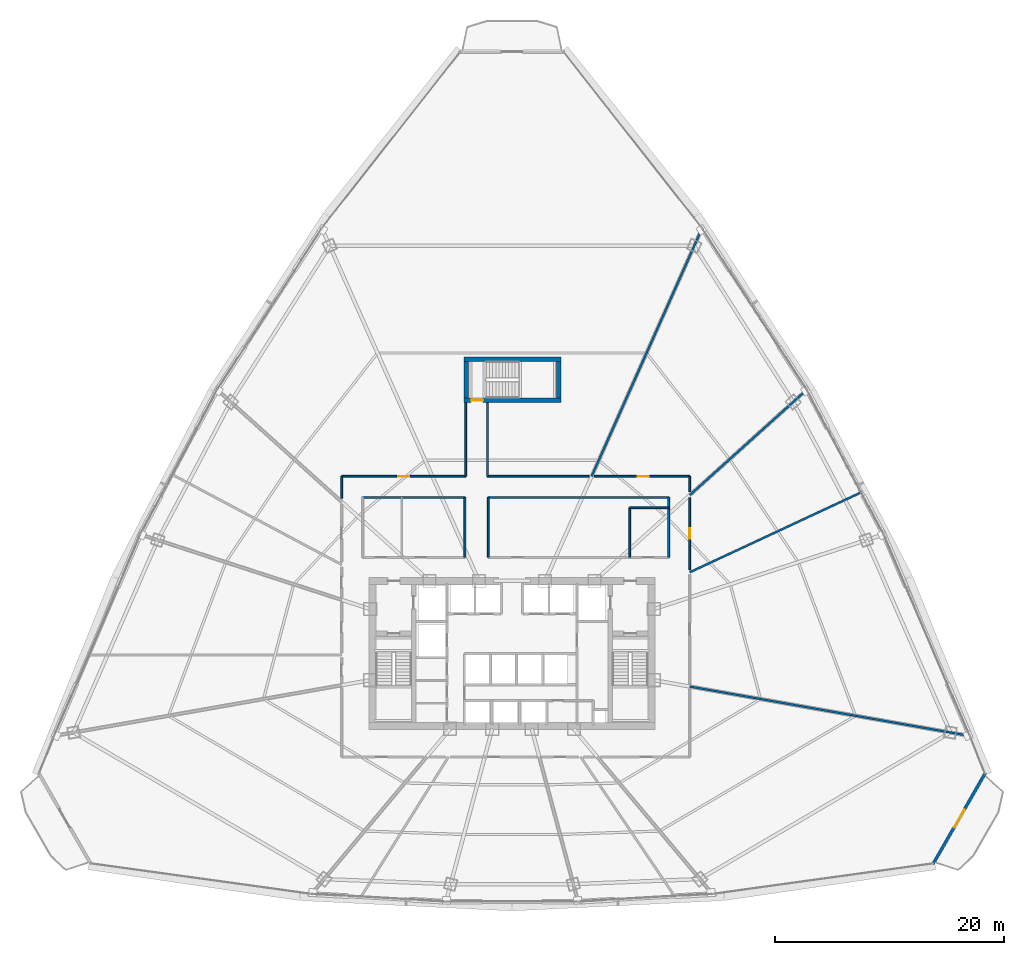
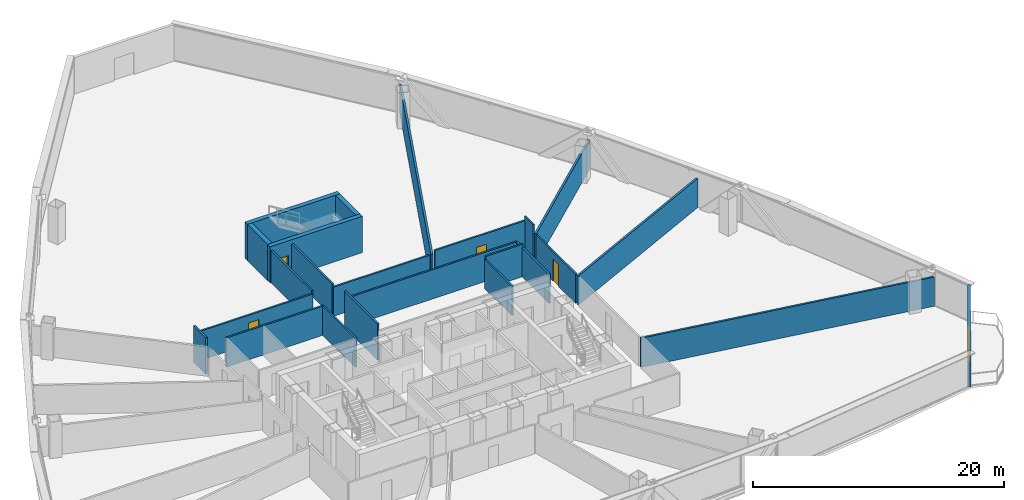
# One storey, part 31 of 36: 24 walls, 5 doors, 5 openings.
"""IFC4 building model written with IfcOpenShell, lengths in metres."""

from ifc_helpers import new_model, si_unit, direction, frame, frame_2d, origin, origin_with_axes, place, context, subcontext, project, spatial, rectangle, extrude, source, transform, mapped, material, layer, layer_set, type_object, element, fill, save


model = new_model("IFC4")

# Units and contexts
model_context = context("Model", 3, precision=1e-05, world=origin(), true_north=direction((0.0, 1.0)))
body_context = subcontext(model_context, "Body", "Model", "MODEL_VIEW")
ifc_project = project(units=[si_unit("LENGTHUNIT", "METRE"), si_unit("AREAUNIT", "SQUARE_METRE"), si_unit("VOLUMEUNIT", "CUBIC_METRE"), si_unit("PLANEANGLEUNIT", "RADIAN"), si_unit("MASSUNIT", "GRAM", prefix="KILO"), si_unit("THERMODYNAMICTEMPERATUREUNIT", "KELVIN"), si_unit("POWERUNIT", "WATT")], contexts=[model_context])

# Site, building, storey
site_placement = place(None, origin())
site = spatial("IfcSite", under=ifc_project, at=site_placement, CompositionType="ELEMENT")
building_placement = place(site_placement, origin())
building = spatial("IfcBuilding", under=site, at=building_placement, Name="Yunzhuo Pagoda Commons", CompositionType="ELEMENT")
storey_placement = place(building_placement, frame((0.0, 0.0, 107.780029296875)))
storey = spatial("IfcBuildingStorey", under=building, at=storey_placement, Name="L27", CompositionType="ELEMENT", Elevation=107.780029296875)

# Wall, opening, door
ifc_material_1 = material(Name="Precast concrete C40", Category="concrete")
ifc_layer_1 = layer(ifc_material_1, 0.260009765625)
ifc_layer_set_1 = layer_set([ifc_layer_1], Name="Precast concrete C40")
wall_type_1 = type_object("IfcWallType", Name="W-BAL1 Corner Balcony Threshold Wall 260", PredefinedType="STANDARD", material=ifc_layer_set_1)
wall_1_placement = place(storey_placement, frame((84.835693359375, 15.427734375, 0.0), z_axis=(0.0, 0.0, 1.0), x_axis=(0.497913445573, 0.867226729707, 0.0)))
wall_1 = element("IfcWall", 1, at=wall_1_placement, inside=storey, type_object=wall_type_1, Name="L27 corner balcony wall V2", PredefinedType="STANDARD", context=body_context, shape_type="SweptSolid", body=[
    extrude(rectangle(XDim=9.180908203125, YDim=0.260009765625, at=frame_2d((4.59033203125, 0.0))), origin(), (0.0, 0.0, 1.0), 3.5400390625),
])
opening_1_placement = place(wall_1_placement, frame((3.6904296875, 0.0, 0.0)))
opening_1 = element("IfcOpeningElement", 2, at=opening_1_placement, cuts=wall_1, Name="Opening D-BAL1", PredefinedType="OPENING", context=body_context, shape_type="SweptSolid", body=[
    extrude(rectangle(XDim=1.800048828125, YDim=2.14990234375, at=frame_2d((0.89990234375, 1.074951171875))), frame((0.0, 0.14013671875, 0.0), z_axis=(0.0, -1.0, 0.0), x_axis=(1.0, 0.0, 0.0)), (0.0, 0.0, 1.0), 0.280029296875),
])
ifc_material_2 = material(Name="Anodized aluminium frame and tempered glazed leaf", Category="aluminium")
door_type_1 = type_object("IfcDoorType", Name="D-BAL1 Corner Balcony Sliding Glazed Door 1800x2150", OperationType="DOUBLE_DOOR_SLIDING", PredefinedType="DOOR", material=ifc_material_2)
shared_shape_1 = source(origin(), body_context, "Body", "SweptSolid", [
    extrude(rectangle(XDim=1.800048828125, YDim=2.14990234375, at=frame_2d((0.89990234375, 1.074951171875))), frame((0.0, 0.02490234375, 0.0), z_axis=(0.0, -1.0, 0.0), x_axis=(1.0, 0.0, 0.0)), (0.0, 0.0, 1.0), 0.050048828125),
])
door_1_placement = place(opening_1_placement, origin_with_axes())
door_1 = element("IfcDoor", 3, at=door_1_placement, inside=storey, type_object=door_type_1, Name="L27 corner balcony sliding door V2", OperationType="DOUBLE_DOOR_SLIDING", OverallHeight=2.14990234375, OverallWidth=1.800048828125, PredefinedType="DOOR", context=body_context, shape_type="MappedRepresentation", body=[
    mapped(shared_shape_1, transform((0.0, 0.0, 0.0), scale=1.0)),
])
fill(opening_1, door_1)

# Walls
ifc_material_3 = material(Name="Gypsum plasterboard on acoustic stud")
ifc_layer_2 = layer(ifc_material_3, 0.159912109375)
ifc_layer_set_2 = layer_set([ifc_layer_2], Name="Gypsum plasterboard on acoustic stud")
wall_type_2 = type_object("IfcWallType", Name="W-COR1 Tower Rated Corridor Wall 160", PredefinedType="PARTITIONING", material=ifc_layer_set_2)
wall_2_placement = place(storey_placement, frame((34.949951171875, 47.5, 0.0), z_axis=(0.0, 0.0, 1.0), x_axis=(1.0, 0.0, 0.0)))
element("IfcWall", 4, at=wall_2_placement, inside=storey, type_object=wall_type_2, Name="L27 interior wall IW-L27-ISLWN", PredefinedType="PARTITIONING", context=body_context, shape_type="SweptSolid", body=[
    extrude(rectangle(XDim=8.929931640625, YDim=0.159912109375, at=frame_2d((4.46484375, 0.0))), origin(), (0.0, 0.0, 1.0), 2.840087890625),
])
wall_3_placement = place(storey_placement, frame((43.8798828125, 42.25, 0.0), z_axis=(0.0, 0.0, 1.0), x_axis=(0.0, 1.0, 0.0)))
element("IfcWall", 5, at=wall_3_placement, inside=storey, type_object=wall_type_2, Name="L27 interior wall IW-L27-ISLWE", PredefinedType="PARTITIONING", context=body_context, shape_type="SweptSolid", body=[
    extrude(rectangle(XDim=5.25, YDim=0.159912109375, at=frame_2d((2.625, 0.0))), origin(), (0.0, 0.0, 1.0), 2.840087890625),
])
wall_4_placement = place(storey_placement, frame((45.919921875, 47.5, 0.0), z_axis=(0.0, 0.0, 1.0), x_axis=(1.0, 0.0, 0.0)))
element("IfcWall", 6, at=wall_4_placement, inside=storey, type_object=wall_type_2, Name="L27 interior wall IW-L27-ISLEN", PredefinedType="PARTITIONING", context=body_context, shape_type="SweptSolid", body=[
    extrude(rectangle(XDim=15.780029296875, YDim=0.159912109375, at=frame_2d((7.89013671875, 0.0))), origin(), (0.0, 0.0, 1.0), 2.840087890625),
])
wall_5_placement = place(storey_placement, frame((45.919921875, 42.25, 0.0), z_axis=(0.0, 0.0, 1.0), x_axis=(0.0, 1.0, 0.0)))
element("IfcWall", 7, at=wall_5_placement, inside=storey, type_object=wall_type_2, Name="L27 interior wall IW-L27-ISLEW", PredefinedType="PARTITIONING", context=body_context, shape_type="SweptSolid", body=[
    extrude(rectangle(XDim=5.25, YDim=0.159912109375, at=frame_2d((2.625, 0.0))), origin(), (0.0, 0.0, 1.0), 3.5400390625),
])
wall_6_placement = place(storey_placement, frame((61.699951171875, 42.25, 0.0), z_axis=(0.0, 0.0, 1.0), x_axis=(0.0, 1.0, 0.0)))
element("IfcWall", 8, at=wall_6_placement, inside=storey, type_object=wall_type_2, Name="L27 interior wall IW-L27-ISLEE", PredefinedType="PARTITIONING", context=body_context, shape_type="SweptSolid", body=[
    extrude(rectangle(XDim=5.25, YDim=0.159912109375, at=frame_2d((2.625, 0.0))), origin(), (0.0, 0.0, 1.0), 2.840087890625),
])
wall_7_placement = place(storey_placement, frame((58.300048828125, 42.25, 0.0), z_axis=(0.0, 0.0, 1.0), x_axis=(0.0, 1.0, 0.0)))
element("IfcWall", 9, at=wall_7_placement, inside=storey, type_object=wall_type_2, Name="L27 interior wall IW-L27-ISL2W", PredefinedType="PARTITIONING", context=body_context, shape_type="SweptSolid", body=[
    extrude(rectangle(XDim=4.35009765625, YDim=0.159912109375, at=frame_2d((2.175048828125, 0.0))), origin(), (0.0, 0.0, 1.0), 2.840087890625),
])
wall_8_placement = place(storey_placement, frame((58.300048828125, 46.60009765625, 0.0), z_axis=(0.0, 0.0, 1.0), x_axis=(1.0, 0.0, 0.0)))
element("IfcWall", 10, at=wall_8_placement, inside=storey, type_object=wall_type_2, Name="L27 interior wall IW-L27-ISL2N", PredefinedType="PARTITIONING", context=body_context, shape_type="SweptSolid", body=[
    extrude(rectangle(XDim=3.39990234375, YDim=0.159912109375, at=frame_2d((1.699951171875, 0.0))), origin(), (0.0, 0.0, 1.0), 3.139892578125),
])
wall_9_placement = place(storey_placement, frame((33.10009765625, 47.412109375, 0.0), z_axis=(0.0, 0.0, 1.0), x_axis=(0.0, 1.0, 0.0)))
element("IfcWall", 11, at=wall_9_placement, inside=storey, type_object=wall_type_2, Name="L27 interior wall IW-L27-CWL06", PredefinedType="PARTITIONING", context=body_context, shape_type="SweptSolid", body=[
    extrude(rectangle(XDim=1.93798828125, YDim=0.159912109375, at=frame_2d((0.968994140625, 0.0))), origin(), (0.0, 0.0, 1.0), 3.5400390625),
])

# Wall, opening, door
wall_10_placement = place(storey_placement, frame((33.10009765625, 49.35009765625, 0.0), z_axis=(0.0, 0.0, 1.0), x_axis=(1.0, 0.0, 0.0)))
wall_10 = element("IfcWall", 12, at=wall_10_placement, inside=storey, type_object=wall_type_2, Name="L27 interior wall IW-L27-CWL07", PredefinedType="PARTITIONING", context=body_context, shape_type="SweptSolid", body=[
    extrude(rectangle(XDim=10.849853515625, YDim=0.159912109375, at=frame_2d((5.4248046875, 0.0))), origin(), (0.0, 0.0, 1.0), 2.840087890625),
])
opening_2_placement = place(wall_10_placement, frame((4.949951171875, 0.0, 0.0)))
opening_2 = element("IfcOpeningElement", 13, at=opening_2_placement, cuts=wall_10, Name="Opening D-06", PredefinedType="OPENING", context=body_context, shape_type="SweptSolid", body=[
    extrude(rectangle(XDim=0.949951171875, YDim=2.10009765625, at=frame_2d((0.47509765625, 1.050048828125))), frame((0.0, 0.08984375, 0.0), z_axis=(0.0, -1.0, 0.0), x_axis=(1.0, 0.0, 0.0)), (0.0, 0.0, 1.0), 0.179931640625),
])
ifc_material_4 = material(Name="Galvanized fire-resisting metal leaf")
door_type_2 = type_object("IfcDoorType", Name="D-06 Co-Living Suite Entrance Fire Door 950x2100", OperationType="NOTDEFINED", PredefinedType="DOOR", material=ifc_material_4)
shared_shape_2 = source(origin(), body_context, "Body", "SweptSolid", [
    extrude(rectangle(XDim=0.949951171875, YDim=2.10009765625, at=frame_2d((0.47509765625, 1.050048828125))), frame((0.0, 0.02490234375, 0.0), z_axis=(0.0, -1.0, 0.0), x_axis=(1.0, 0.0, 0.0)), (0.0, 0.0, 1.0), 0.050048828125),
])
door_2_placement = place(opening_2_placement, origin_with_axes())
door_2 = element("IfcDoor", 14, at=door_2_placement, inside=storey, type_object=door_type_2, Name="L27 Resident Co-Living Commons Hall door", OperationType="SINGLE_SWING_RIGHT", OverallHeight=2.10009765625, OverallWidth=0.949951171875, PredefinedType="DOOR", context=body_context, shape_type="MappedRepresentation", body=[
    mapped(shared_shape_2, transform((0.0, 0.0, 0.0), scale=1.0)),
])
fill(opening_2, door_2)

# Walls
for number, where, z_axis, x_axis, name in (
    (15, (43.949951171875, 49.35009765625, 0.0), (0.0, 0.0, 1.0), (0.0, 1.0, 0.0), "L27 interior wall IW-L27-CWL08"),
    (16, (45.85009765625, 55.780029296875, 0.0), (0.0, 0.0, 1.0), (0.0, -1.0, 0.0), "L27 interior wall IW-L27-CWL09"),
):
    element("IfcWall", number, at=place(storey_placement, frame(where, z_axis=z_axis, x_axis=x_axis)), inside=storey, type_object=wall_type_2, Name=name, PredefinedType="PARTITIONING", context=body_context, shape_type="SweptSolid", body=[
        extrude(rectangle(XDim=6.429931640625, YDim=0.159912109375, at=frame_2d((3.21484375, 0.0))), origin(), (0.0, 0.0, 1.0), 3.139892578125),
    ])
wall_11_placement = place(storey_placement, frame((45.85009765625, 49.35009765625, 0.0), z_axis=(0.0, 0.0, 1.0), x_axis=(1.0, 0.0, 0.0)))
element("IfcWall", 17, at=wall_11_placement, inside=storey, type_object=wall_type_2, Name="L27 interior wall IW-L27-CWL10", PredefinedType="PARTITIONING", context=body_context, shape_type="SweptSolid", body=[
    extrude(rectangle(XDim=8.89794921875, YDim=0.159912109375, at=frame_2d((4.448974609375, 0.0))), origin(), (0.0, 0.0, 1.0), 2.840087890625),
])

# Wall, opening, door
wall_12_placement = place(storey_placement, frame((55.20849609375, 49.35009765625, 0.0), z_axis=(0.0, 0.0, 1.0), x_axis=(1.0, 0.0, 0.0)))
wall_12 = element("IfcWall", 18, at=wall_12_placement, inside=storey, type_object=wall_type_2, Name="L27 interior wall IW-L27-CWL11", PredefinedType="PARTITIONING", context=body_context, shape_type="SweptSolid", body=[
    extrude(rectangle(XDim=8.341552734375, YDim=0.159912109375, at=frame_2d((4.1708984375, 0.0))), origin(), (0.0, 0.0, 1.0), 3.139892578125),
])
opening_3_placement = place(wall_12_placement, frame((3.805419921875, 0.0, 0.0)))
opening_3 = element("IfcOpeningElement", 19, at=opening_3_placement, cuts=wall_12, Name="Opening D-06", PredefinedType="OPENING", context=body_context, shape_type="SweptSolid", body=[
    extrude(rectangle(XDim=0.949951171875, YDim=2.10009765625, at=frame_2d((0.47509765625, 1.050048828125))), frame((0.0, 0.08984375, 0.0), z_axis=(0.0, -1.0, 0.0), x_axis=(1.0, 0.0, 0.0)), (0.0, 0.0, 1.0), 0.179931640625),
])
door_3_placement = place(opening_3_placement, origin_with_axes())
door_3 = element("IfcDoor", 20, at=door_3_placement, inside=storey, type_object=door_type_2, Name="L27 unit 03 entrance door", OperationType="SINGLE_SWING_LEFT", OverallHeight=2.10009765625, OverallWidth=0.949951171875, PredefinedType="DOOR", context=body_context, shape_type="MappedRepresentation", body=[
    mapped(shared_shape_2, transform((0.0, 0.0, 0.0), scale=1.0)),
])
fill(opening_3, door_3)

# Wall
wall_13_placement = place(storey_placement, frame((63.550048828125, 49.35009765625, 0.0), z_axis=(0.0, 0.0, 1.0), x_axis=(0.0, -1.0, 0.0)))
element("IfcWall", 21, at=wall_13_placement, inside=storey, type_object=wall_type_2, Name="L27 interior wall IW-L27-CWL12", PredefinedType="PARTITIONING", context=body_context, shape_type="SweptSolid", body=[
    extrude(rectangle(XDim=1.352783203125, YDim=0.159912109375, at=frame_2d((0.67626953125, 0.0))), origin(), (0.0, 0.0, 1.0), 3.5400390625),
])

# Wall, opening, door
wall_14_placement = place(storey_placement, frame((63.550048828125, 47.481689453125, 0.0), z_axis=(0.0, 0.0, 1.0), x_axis=(0.0, -1.0, 0.0)))
wall_14 = element("IfcWall", 22, at=wall_14_placement, inside=storey, type_object=wall_type_2, Name="L27 interior wall IW-L27-CWL13", PredefinedType="PARTITIONING", context=body_context, shape_type="SweptSolid", body=[
    extrude(rectangle(XDim=6.287841796875, YDim=0.159912109375, at=frame_2d((3.14404296875, 0.0))), origin(), (0.0, 0.0, 1.0), 2.840087890625),
])
opening_4_placement = place(wall_14_placement, frame((2.6953125, 0.0, 0.0)))
opening_4 = element("IfcOpeningElement", 23, at=opening_4_placement, cuts=wall_14, Name="Opening D-04", PredefinedType="OPENING", context=body_context, shape_type="SweptSolid", body=[
    extrude(rectangle(XDim=0.919921875, YDim=2.10009765625, at=frame_2d((0.4599609375, 1.050048828125))), frame((0.0, 0.08984375, 0.0), z_axis=(0.0, -1.0, 0.0), x_axis=(1.0, 0.0, 0.0)), (0.0, 0.0, 1.0), 0.179931640625),
])
ifc_material_5 = material(Name="Powder-coated aluminium and timber acoustic leaf", Category="wood")
door_type_3 = type_object("IfcDoorType", Name="D-04 Bedroom & Study Interior Door 920x2100", OperationType="NOTDEFINED", PredefinedType="DOOR", material=ifc_material_5)
shared_shape_3 = source(origin(), body_context, "Body", "SweptSolid", [
    extrude(rectangle(XDim=0.919921875, YDim=2.10009765625, at=frame_2d((0.4599609375, 1.050048828125))), frame((0.0, 0.02490234375, 0.0), z_axis=(0.0, -1.0, 0.0), x_axis=(1.0, 0.0, 0.0)), (0.0, 0.0, 1.0), 0.050048828125),
])
door_4_placement = place(opening_4_placement, origin_with_axes())
door_4 = element("IfcDoor", 24, at=door_4_placement, inside=storey, type_object=door_type_3, Name="L27 seminar room 02 door", OperationType="SINGLE_SWING_RIGHT", OverallHeight=2.10009765625, OverallWidth=0.919921875, PredefinedType="DOOR", context=body_context, shape_type="MappedRepresentation", body=[
    mapped(shared_shape_3, transform((0.0, 0.0, 0.0), scale=1.0)),
])
fill(opening_4, door_4)

# Walls
ifc_layer_3 = layer(ifc_material_3, 0.179931640625)
ifc_layer_set_3 = layer_set([ifc_layer_3], Name="Gypsum plasterboard on acoustic stud")
wall_type_3 = type_object("IfcWallType", Name="W-PRT2 Acoustic Unit Demising Wall 180", PredefinedType="PARTITIONING", material=ifc_layer_set_3)
wall_15_placement = place(storey_placement, frame((63.550048828125, 40.951171875, 0.0), z_axis=(0.0, 0.0, 1.0), x_axis=(0.906312192988, 0.422608813018, 0.0)))
element("IfcWall", 25, at=wall_15_placement, inside=storey, type_object=wall_type_3, Name="L27 interior wall IW-L27-RAD01", PredefinedType="PARTITIONING", context=body_context, shape_type="SweptSolid", body=[
    extrude(rectangle(XDim=16.57177734375, YDim=0.179931640625, at=frame_2d((8.285888671875, 0.0))), origin(), (0.0, 0.0, 1.0), 2.840087890625),
])
wall_16_placement = place(storey_placement, frame((63.550048828125, 47.701416015625, 0.0), z_axis=(0.0, 0.0, 1.0), x_axis=(0.743145401191, 0.669129966964, 0.0)))
element("IfcWall", 26, at=wall_16_placement, inside=storey, type_object=wall_type_3, Name="L27 interior wall IW-L27-RAD02", PredefinedType="PARTITIONING", context=body_context, shape_type="SweptSolid", body=[
    extrude(rectangle(XDim=13.79443359375, YDim=0.179931640625, at=frame_2d((6.897216796875, 0.0))), origin(), (0.0, 0.0, 1.0), 2.840087890625),
])
wall_17_placement = place(storey_placement, frame((54.9677734375, 49.35009765625, 0.0), z_axis=(0.0, 0.0, 1.0), x_axis=(0.406738735626, 0.913544525976, 0.0)))
element("IfcWall", 27, at=wall_17_placement, inside=storey, type_object=wall_type_3, Name="L27 interior wall IW-L27-RAD03", PredefinedType="PARTITIONING", context=body_context, shape_type="SweptSolid", body=[
    extrude(rectangle(XDim=23.770751953125, YDim=0.179931640625, at=frame_2d((11.88525390625, 0.0))), origin(), (0.0, 0.0, 1.0), 2.840087890625),
])
wall_18_placement = place(storey_placement, frame((63.550048828125, 30.9580078125, 0.0), z_axis=(0.0, 0.0, 1.0), x_axis=(0.984808331287, -0.173644898074, 0.0)))
element("IfcWall", 28, at=wall_18_placement, inside=storey, type_object=wall_type_3, Name="L27 interior wall IW-L27-RAD14", PredefinedType="PARTITIONING", context=body_context, shape_type="SweptSolid", body=[
    extrude(rectangle(XDim=24.892822265625, YDim=0.179931640625, at=frame_2d((12.4462890625, 0.0))), origin(), (0.0, 0.0, 1.0), 2.840087890625),
])
ifc_material_6 = material(Name="Concrete C60", Category="concrete")
ifc_layer_4 = layer(ifc_material_6, 0.39990234375)
ifc_layer_set_4 = layer_set([ifc_layer_4], Name="Concrete C60")
wall_type_4 = type_object("IfcWallType", Name="W-S01 Internal Core Shear Web 400", PredefinedType="SHEAR", material=ifc_layer_set_4)
wall_19_placement = place(storey_placement, frame((43.800048828125, 59.60009765625, 0.0), z_axis=(0.0, 0.0, 1.0), x_axis=(1.0, 0.0, 0.0)))
element("IfcWall", 29, at=wall_19_placement, inside=storey, type_object=wall_type_4, Name="L27 ST3 structural stair wall N", PredefinedType="SHEAR", context=body_context, shape_type="SweptSolid", body=[
    extrude(rectangle(XDim=8.5, YDim=0.39990234375, at=frame_2d((4.25, 0.0))), origin(), (0.0, 0.0, 1.0), 3.5400390625),
])

# Wall, opening, door
wall_20_placement = place(storey_placement, frame((43.800048828125, 56.0, 0.0), z_axis=(0.0, 0.0, 1.0), x_axis=(1.0, 0.0, 0.0)))
wall_20 = element("IfcWall", 30, at=wall_20_placement, inside=storey, type_object=wall_type_4, Name="L27 ST3 structural stair wall S", PredefinedType="SHEAR", context=body_context, shape_type="SweptSolid", body=[
    extrude(rectangle(XDim=8.5, YDim=0.39990234375, at=frame_2d((4.25, 0.0))), origin(), (0.0, 0.0, 1.0), 3.5400390625),
])
opening_5_placement = place(wall_20_placement, frame((0.6201171875, 0.0, 0.0)))
opening_5 = element("IfcOpeningElement", 31, at=opening_5_placement, cuts=wall_20, Name="Opening D-01", PredefinedType="OPENING", context=body_context, shape_type="SweptSolid", body=[
    extrude(rectangle(XDim=1.050048828125, YDim=2.10009765625, at=frame_2d((0.52490234375, 1.050048828125))), frame((0.0, 0.2099609375, 0.0), z_axis=(0.0, -1.0, 0.0), x_axis=(1.0, 0.0, 0.0)), (0.0, 0.0, 1.0), 0.419921875),
])
door_type_4 = type_object("IfcDoorType", Name="D-01 Smokeproof Stair Fire Door 1050x2100", OperationType="NOTDEFINED", PredefinedType="DOOR", material=ifc_material_4)
shared_shape_4 = source(origin(), body_context, "Body", "SweptSolid", [
    extrude(rectangle(XDim=1.050048828125, YDim=2.10009765625, at=frame_2d((0.52490234375, 1.050048828125))), frame((0.0, 0.02490234375, 0.0), z_axis=(0.0, -1.0, 0.0), x_axis=(1.0, 0.0, 0.0)), (0.0, 0.0, 1.0), 0.050048828125),
])
door_5_placement = place(opening_5_placement, frame((1.050048828125, 0.0, 0.0), z_axis=(0.0, 0.0, 1.0), x_axis=(-1.0, 0.0, 0.0)))
door_5 = element("IfcDoor", 32, at=door_5_placement, inside=storey, type_object=door_type_4, Name="L27 Stair ST3 fire door", OperationType="SINGLE_SWING_LEFT", OverallHeight=2.10009765625, OverallWidth=1.050048828125, PredefinedType="DOOR", context=body_context, shape_type="MappedRepresentation", body=[
    mapped(shared_shape_4, transform((0.0, 0.0, 0.0), scale=1.0)),
])
fill(opening_5, door_5)

# Walls
for number, where, z_axis, x_axis, name in (
    (33, (44.0, 56.199951171875, 0.0), (0.0, 0.0, 1.0), (0.0, 1.0, 0.0), "L27 ST3 structural stair wall W"),
    (34, (52.10009765625, 56.199951171875, 0.0), (0.0, 0.0, 1.0), (0.0, 1.0, 0.0), "L27 ST3 structural stair wall E"),
):
    element("IfcWall", number, at=place(storey_placement, frame(where, z_axis=z_axis, x_axis=x_axis)), inside=storey, type_object=wall_type_4, Name=name, PredefinedType="SHEAR", context=body_context, shape_type="SweptSolid", body=[
        extrude(rectangle(XDim=3.199951171875, YDim=0.39990234375, at=frame_2d((1.60009765625, 0.0))), origin(), (0.0, 0.0, 1.0), 3.5400390625),
    ])

save(model, "model.ifc")
